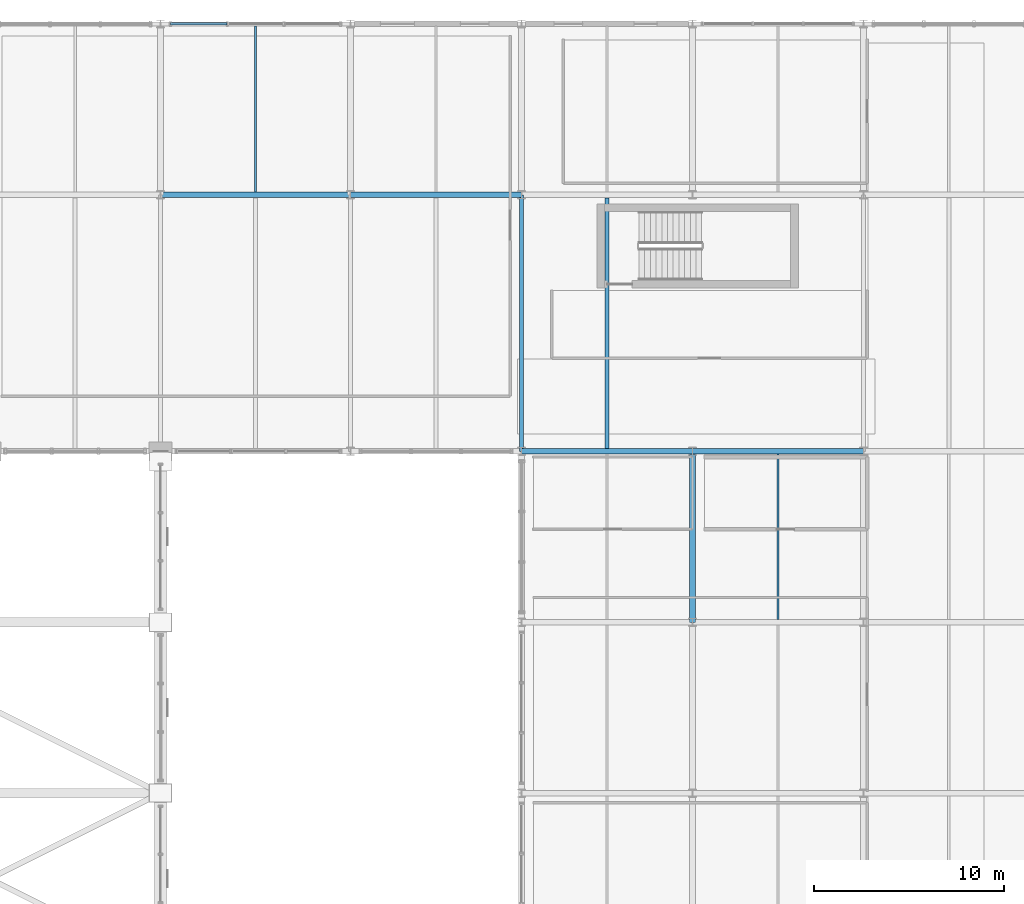
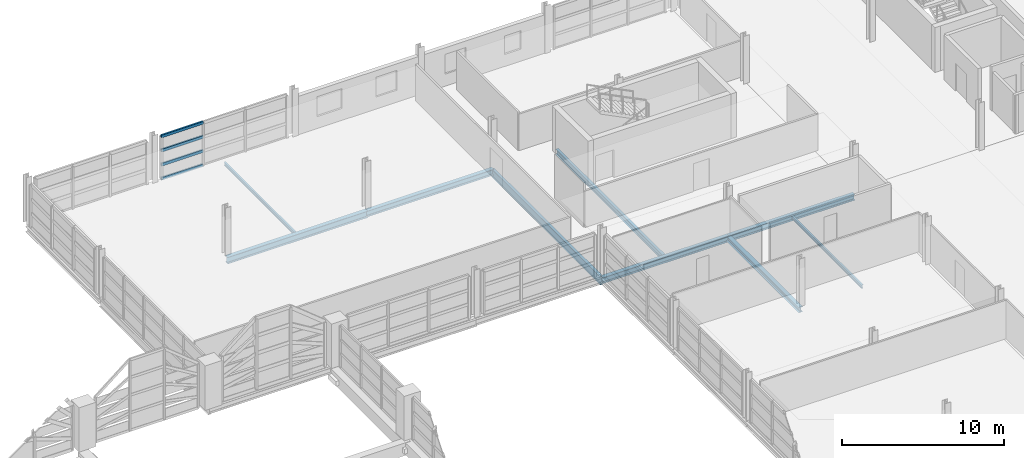
# One storey, part 76 of 116: 9 beams, 4 members, 1 element without a shape of its own.
"""IFC4 building model written with IfcOpenShell, lengths in metres."""

from ifc_helpers import new_model, si_unit, direction, frame, origin, origin_2d, place, context, subcontext, project, spatial, hollow_rectangle, i_section, extrude, material, material_profile, profile_set, type_object, element, aggregate, save


model = new_model("IFC4")

# Units and contexts
model_context = context("Model", 3, precision=1e-05, world=origin(), true_north=direction((0.0, 1.0)))
body_context = subcontext(model_context, "Body", "Model", "MODEL_VIEW")
ifc_project = project(units=[si_unit("LENGTHUNIT", "METRE"), si_unit("AREAUNIT", "SQUARE_METRE"), si_unit("VOLUMEUNIT", "CUBIC_METRE"), si_unit("PLANEANGLEUNIT", "RADIAN"), si_unit("MASSUNIT", "GRAM", prefix="KILO")], contexts=[model_context])

# Site, building, storey
site_placement = place(None, origin())
site = spatial("IfcSite", under=ifc_project, at=site_placement, CompositionType="ELEMENT")
building_placement = place(site_placement, origin())
building = spatial("IfcBuilding", under=site, at=building_placement, Name="Chuanluo Vaults Station", CompositionType="ELEMENT")
storey_placement = place(building_placement, frame((0.0, 0.0, 10.800048828125)))
storey = spatial("IfcBuildingStorey", under=building, at=storey_placement, Name="L02", CompositionType="ELEMENT", Elevation=10.800048828125)

# Beams
ifc_material_1 = material(Name="Steel Q355C", Category="steel")
ifc_material_profile_1 = material_profile(ifc_material_1, i_section(OverallWidth=0.300048828125, OverallDepth=0.389892578125, WebThickness=0.010009765625, FlangeThickness=0.01611328125, FilletRadius=0.02001953125, at=origin_2d()))
ifc_profile_set_1 = profile_set([ifc_material_profile_1], Name="Steel Q355C")
beam_type_1 = type_object("IfcBeamType", Name="BM-GRD-400", PredefinedType="BEAM", material=ifc_profile_set_1)
beam_1_placement = place(storey_placement, frame((154.0, 94.5, -0.4150390625), z_axis=(0.0, 1.0, 0.0), x_axis=(-1.0, 0.0, 0.0)))
element("IfcBeam", 1, at=beam_1_placement, inside=storey, type_object=beam_type_1, Name="Floor girder BM:GY:L02:0661", PredefinedType="BEAM", context=body_context, shape_type="SweptSolid", body=[
    extrude(i_section(OverallWidth=0.300048828125, OverallDepth=0.389892578125, WebThickness=0.010009765625, FlangeThickness=0.01611328125, FilletRadius=0.02001953125, at=origin_2d()), origin(), (0.0, 0.0, 1.0), 9.0),
])
ifc_material_2 = material(Name="Steel Q355C", Category="steel")
ifc_material_profile_2 = material_profile(ifc_material_2, i_section(OverallWidth=0.300048828125, OverallDepth=0.43994140625, WebThickness=0.010986328125, FlangeThickness=0.01806640625, FilletRadius=0.02001953125, at=origin_2d()))
ifc_profile_set_2 = profile_set([ifc_material_profile_2], Name="Steel Q355C")
beam_type_2 = type_object("IfcBeamType", Name="BM-GRD-450", PredefinedType="USERDEFINED", material=ifc_profile_set_2)
for number, where, z_axis, x_axis, name in (
    (2, (145.0, 103.5, -0.43994140625), (1.0, 0.0, 0.0), (0.0, 1.0, 0.0), "Floor girder BM:GX:L02:0600"),
    (3, (154.0, 103.5, -0.43994140625), (1.0, 0.0, 0.0), (0.0, 1.0, 0.0), "Floor girder BM:GX:L02:0601"),
    (4, (136.0, 117.0, -0.43994140625), (1.0, 0.0, 0.0), (0.0, 1.0, 0.0), "Floor girder BM:GX:L02:0607"),
):
    element("IfcBeam", number, at=place(storey_placement, frame(where, z_axis=z_axis, x_axis=x_axis)), inside=storey, type_object=beam_type_2, Name=name, ObjectType="GIRDER", PredefinedType="USERDEFINED", context=body_context, shape_type="SweptSolid", body=[
        extrude(i_section(OverallWidth=0.300048828125, OverallDepth=0.43994140625, WebThickness=0.010986328125, FlangeThickness=0.01806640625, FilletRadius=0.02001953125, at=origin_2d()), origin(), (0.0, 0.0, 1.0), 9.0),
    ])
ifc_material_3 = material(Name="Steel Q355C", Category="steel")
ifc_material_profile_3 = material_profile(ifc_material_3, i_section(OverallWidth=0.300048828125, OverallDepth=0.5, WebThickness=0.010986328125, FlangeThickness=0.01806640625, FilletRadius=0.02001953125, at=origin_2d()))
ifc_profile_set_3 = profile_set([ifc_material_profile_3], Name="Steel Q355C")
beam_type_3 = type_object("IfcBeamType", Name="BM-GRD-500", PredefinedType="USERDEFINED", material=ifc_profile_set_3)
beam_2_placement = place(storey_placement, frame((126.0, 117.0, -0.469970703125), z_axis=(1.0, 0.0, 0.0), x_axis=(0.0, 1.0, 0.0)))
element("IfcBeam", 5, at=beam_2_placement, inside=storey, type_object=beam_type_3, Name="Floor girder BM:GX:L02:0606", ObjectType="GIRDER", PredefinedType="USERDEFINED", context=body_context, shape_type="SweptSolid", body=[
    extrude(i_section(OverallWidth=0.300048828125, OverallDepth=0.5, WebThickness=0.010986328125, FlangeThickness=0.01806640625, FilletRadius=0.02001953125, at=origin_2d()), origin(), (0.0, 0.0, 1.0), 10.0),
])
ifc_material_4 = material(Name="Steel Q355C", Category="steel")
ifc_material_profile_4 = material_profile(ifc_material_4, i_section(OverallWidth=0.199951171875, OverallDepth=0.60009765625, WebThickness=0.010986328125, FlangeThickness=0.01708984375, FilletRadius=0.01806640625, at=origin_2d()))
ifc_profile_set_4 = profile_set([ifc_material_profile_4], Name="Steel Q355C")
beam_type_4 = type_object("IfcBeamType", Name="BM-GRD-600", PredefinedType="USERDEFINED", material=ifc_profile_set_4)
beam_3_placement = place(storey_placement, frame((145.0, 103.5, -0.52001953125), z_axis=(0.0, 1.0, 0.0), x_axis=(-1.0, 0.0, 0.0)))
element("IfcBeam", 6, at=beam_3_placement, inside=storey, type_object=beam_type_4, Name="Floor girder BM:GY:L02:0650", ObjectType="GIRDER", PredefinedType="USERDEFINED", context=body_context, shape_type="SweptSolid", body=[
    extrude(i_section(OverallWidth=0.199951171875, OverallDepth=0.60009765625, WebThickness=0.010986328125, FlangeThickness=0.01708984375, FilletRadius=0.01806640625, at=origin_2d()), origin(), (0.0, 0.0, 1.0), 13.5),
])
ifc_material_5 = material(Name="Steel Q355C", Category="steel")
ifc_material_profile_5 = material_profile(ifc_material_5, i_section(OverallWidth=0.125, OverallDepth=0.25, WebThickness=0.006103515625, FlangeThickness=0.009033203125, FilletRadius=0.011962890625, at=origin_2d()))
ifc_profile_set_5 = profile_set([ifc_material_profile_5], Name="Steel Q355C")
beam_type_5 = type_object("IfcBeamType", Name="BM-SEC-250", PredefinedType="JOIST", material=ifc_profile_set_5)
beam_4_placement = place(storey_placement, frame((131.0, 117.155029296875, -0.344970703125), z_axis=(0.0, 1.0, 0.0), x_axis=(-1.0, 0.0, 0.0)))
element("IfcBeam", 7, at=beam_4_placement, inside=storey, type_object=beam_type_5, Name="Composite secondary joist 0192", PredefinedType="JOIST", context=body_context, shape_type="SweptSolid", body=[
    extrude(i_section(OverallWidth=0.125, OverallDepth=0.25, WebThickness=0.006103515625, FlangeThickness=0.009033203125, FilletRadius=0.011962890625, at=origin_2d()), origin(), (0.0, 0.0, 1.0), 8.737548828125),
])
beam_5_placement = place(storey_placement, frame((158.5, 94.655029296875, -0.344970703125), z_axis=(0.0, 1.0, 0.0), x_axis=(-1.0, 0.0, 0.0)))
element("IfcBeam", 8, at=beam_5_placement, inside=storey, type_object=beam_type_5, Name="Composite secondary joist 0215", PredefinedType="JOIST", context=body_context, shape_type="SweptSolid", body=[
    extrude(i_section(OverallWidth=0.125, OverallDepth=0.25, WebThickness=0.006103515625, FlangeThickness=0.009033203125, FilletRadius=0.011962890625, at=origin_2d()), origin(), (0.0, 0.0, 1.0), 8.68994140625),
])
ifc_material_6 = material(Name="Steel Q355C", Category="steel")
ifc_material_profile_6 = material_profile(ifc_material_6, i_section(OverallWidth=0.199951171875, OverallDepth=0.39990234375, WebThickness=0.008056640625, FlangeThickness=0.012939453125, FilletRadius=0.01611328125, at=origin_2d()))
ifc_profile_set_6 = profile_set([ifc_material_profile_6], Name="Steel Q355C")
beam_type_6 = type_object("IfcBeamType", Name="BM-SEC-400", PredefinedType="BEAM", material=ifc_profile_set_6)
beam_6_placement = place(storey_placement, frame((149.5, 103.655029296875, -0.420166015625), z_axis=(0.0, 1.0, 0.0), x_axis=(-1.0, 0.0, 0.0)))
element("IfcBeam", 9, at=beam_6_placement, inside=storey, type_object=beam_type_6, Name="Composite secondary joist 0207", PredefinedType="BEAM", context=body_context, shape_type="SweptSolid", body=[
    extrude(i_section(OverallWidth=0.199951171875, OverallDepth=0.39990234375, WebThickness=0.008056640625, FlangeThickness=0.012939453125, FilletRadius=0.01611328125, at=origin_2d()), origin(), (0.0, 0.0, 1.0), 13.18994140625),
])

# Curtain wall, members
ifc_material_7 = material(Name="Anodised aluminium 6063-T6", Category="aluminium")
curtain_wall_type = type_object("IfcCurtainWallType", Name="CW-SYS-11", PredefinedType="NOTDEFINED", material=ifc_material_7)
curtain_wall_placement = place(storey_placement, origin())
curtain_wall = element("IfcCurtainWall", 10, at=curtain_wall_placement, inside=storey, type_object=curtain_wall_type, Name="Operations L02 facade CW", PredefinedType="NOTDEFINED")
ifc_material_8 = material(Name="Anodised aluminium 6063-T6", Category="aluminium")
ifc_material_profile_7 = material_profile(ifc_material_8, hollow_rectangle(XDim=0.1201171875, YDim=0.205078125, WallThickness=0.006103515625, at=origin_2d()))
ifc_profile_set_7 = profile_set([ifc_material_profile_7], Name="Anodised aluminium 6063-T6")
member_type = type_object("IfcMemberType", Name="CWT-130", PredefinedType="USERDEFINED", material=ifc_profile_set_7)
member_1_placement = place(storey_placement, frame((126.52490234375, 126.0, 0.0), z_axis=(1.0, 0.0, 0.0), x_axis=(0.0, 1.0, 0.0)))
member_1 = element("IfcMember", 11, at=member_1_placement, type_object=member_type, Name="Operations L02 facade CW transom 1.1", ObjectType="TRANSOM", PredefinedType="USERDEFINED", context=body_context, shape_type="SweptSolid", body=[
    extrude(hollow_rectangle(XDim=0.1201171875, YDim=0.205078125, WallThickness=0.006103515625, at=origin_2d()), origin(), (0.0, 0.0, 1.0), 2.9833984375),
])
member_2_placement = place(storey_placement, frame((126.52490234375, 126.0, 1.066650390625), z_axis=(1.0, 0.0, 0.0), x_axis=(0.0, 1.0, 0.0)))
member_2 = element("IfcMember", 12, at=member_2_placement, type_object=member_type, Name="Operations L02 facade CW transom 1.2", ObjectType="TRANSOM", PredefinedType="USERDEFINED", context=body_context, shape_type="SweptSolid", body=[
    extrude(hollow_rectangle(XDim=0.1201171875, YDim=0.205078125, WallThickness=0.006103515625, at=origin_2d()), origin(), (0.0, 0.0, 1.0), 2.9833984375),
])
member_3_placement = place(storey_placement, frame((126.52490234375, 126.0, 2.13330078125), z_axis=(1.0, 0.0, 0.0), x_axis=(0.0, 1.0, 0.0)))
member_3 = element("IfcMember", 13, at=member_3_placement, type_object=member_type, Name="Operations L02 facade CW transom 1.3", ObjectType="TRANSOM", PredefinedType="USERDEFINED", context=body_context, shape_type="SweptSolid", body=[
    extrude(hollow_rectangle(XDim=0.1201171875, YDim=0.205078125, WallThickness=0.006103515625, at=origin_2d()), origin(), (0.0, 0.0, 1.0), 2.9833984375),
])
member_4_placement = place(storey_placement, frame((126.52490234375, 126.0, 3.199951171875), z_axis=(1.0, 0.0, 0.0), x_axis=(0.0, 1.0, 0.0)))
member_4 = element("IfcMember", 14, at=member_4_placement, type_object=member_type, Name="Operations L02 facade CW transom 1.4", ObjectType="TRANSOM", PredefinedType="USERDEFINED", context=body_context, shape_type="SweptSolid", body=[
    extrude(hollow_rectangle(XDim=0.1201171875, YDim=0.205078125, WallThickness=0.006103515625, at=origin_2d()), origin(), (0.0, 0.0, 1.0), 2.9833984375),
])
aggregate(curtain_wall, [member_1, member_2, member_3, member_4])

save(model, "model.ifc")
